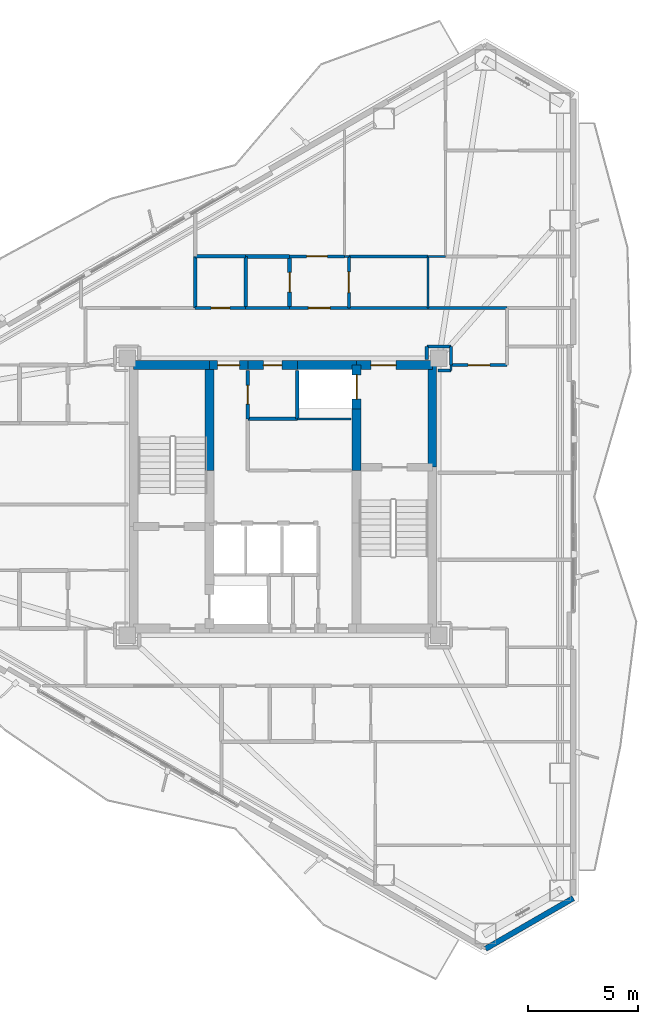
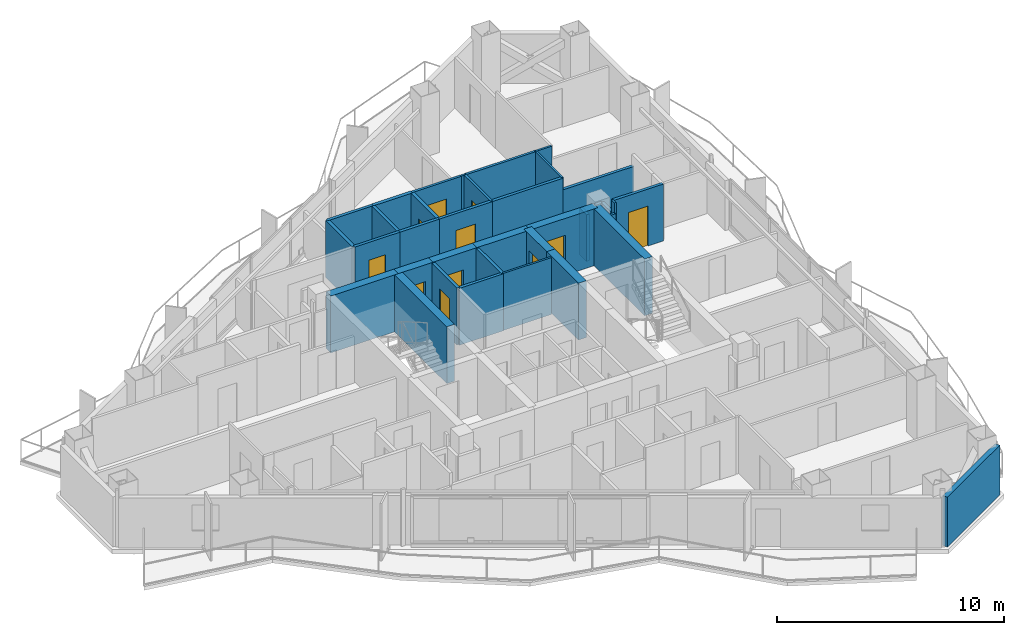
# One storey, part 15 of 19: 36 walls, 11 doors, 11 openings.
"""IFC4 building model written with IfcOpenShell, lengths in metres."""

from ifc_helpers import new_model, si_unit, direction, frame, frame_2d, origin, place, context, subcontext, project, spatial, rectangle, extrude, material, layer, layer_set, type_object, element, fill, save


model = new_model("IFC4")

# Units and contexts
model_context = context("Model", 3, precision=1e-05, world=origin(), true_north=direction((0.0, 1.0)))
body_context = subcontext(model_context, "Body", "Model", "MODEL_VIEW")
ifc_project = project(units=[si_unit("LENGTHUNIT", "METRE"), si_unit("AREAUNIT", "SQUARE_METRE"), si_unit("VOLUMEUNIT", "CUBIC_METRE"), si_unit("PLANEANGLEUNIT", "RADIAN"), si_unit("MASSUNIT", "GRAM", prefix="KILO")], contexts=[model_context])

# Site, building, storey
site_placement = place(None, origin())
site = spatial("IfcSite", under=ifc_project, at=site_placement, CompositionType="ELEMENT")
building_placement = place(site_placement, origin())
building = spatial("IfcBuilding", under=site, at=building_placement, Name="Mersakhor Tower and Convention Hall", CompositionType="ELEMENT")
storey_placement = place(building_placement, frame((0.0, 0.0, 127.800048828125)))
storey = spatial("IfcBuildingStorey", under=building, at=storey_placement, Name="L35", CompositionType="ELEMENT", Elevation=127.800048828125)

# Wall
ifc_material_1 = material(Name="Precast concrete C40/50", Category="concrete")
ifc_layer_1 = layer(ifc_material_1, 0.25)
ifc_layer_set_1 = layer_set([ifc_layer_1], Name="Precast concrete C40/50")
wall_type_1 = type_object("IfcWallType", Name="WL-EXT-250", PredefinedType="SOLIDWALL", material=ifc_layer_set_1)
wall_1_placement = place(storey_placement, frame((42.21923828125, 8.470947265625, 0.0), z_axis=(0.0, 0.0, 1.0), x_axis=(-0.866035021055, -0.499983342029, 0.0)))
element("IfcWall", 1, at=wall_1_placement, inside=storey, type_object=wall_type_1, Name="L35 Chamfer Braced Spandrel Wall C2", PredefinedType="SOLIDWALL", context=body_context, shape_type="SweptSolid", body=[
    extrude(rectangle(XDim=4.617431640625, YDim=0.25, at=frame_2d((2.30859375, 0.0))), origin(), (0.0, 0.0, 1.0), 2.679931640625),
])

# Wall, opening, door
ifc_material_2 = material(Name="Moisture-resistant acoustic drywall studwork", Category="other")
ifc_layer_2 = layer(ifc_material_2, 0.175048828125)
ifc_layer_set_2 = layer_set([ifc_layer_2], Name="Moisture-resistant acoustic drywall studwork")
wall_type_2 = type_object("IfcWallType", Name="WL-PLM-175", PredefinedType="PLUMBINGWALL", material=ifc_layer_set_2)
wall_2_placement = place(storey_placement, frame((29.300048828125, 35.35009765625, 0.0), z_axis=(0.0, 0.0, 1.0), x_axis=(0.0, 1.0, 0.0)))
wall_2 = element("IfcWall", 2, at=wall_2_placement, inside=storey, type_object=wall_type_2, Name="L35 Interior Partition Wall P-052", PredefinedType="PLUMBINGWALL", context=body_context, shape_type="SweptSolid", body=[
    extrude(rectangle(XDim=2.349853515625, YDim=0.175048828125, at=frame_2d((1.1748046875, 0.0))), origin(), (0.0, 0.0, 1.0), 3.06005859375),
])
opening_1_placement = place(wall_2_placement, frame((0.72509765625, 0.0, 0.0)))
opening_1 = element("IfcOpeningElement", 3, at=opening_1_placement, cuts=wall_2, Name="Opening WD-01", PredefinedType="OPENING", context=body_context, shape_type="SweptSolid", body=[
    extrude(rectangle(XDim=0.89990234375, YDim=2.10009765625, at=frame_2d((0.449951171875, 1.050048828125))), frame((0.0, 0.097412109375, 0.0), z_axis=(0.0, -1.0, 0.0), x_axis=(1.0, 0.0, 0.0)), (0.0, 0.0, 1.0), 0.195068359375),
])
ifc_material_3 = material(Name="Solid-core hardwood leaf in painted steel frame", Category="steel")
door_type_1 = type_object("IfcDoorType", Name="DR-INT-WET-090x210", OperationType="NOTDEFINED", PredefinedType="DOOR", material=ifc_material_3)
door_1_placement = place(opening_1_placement, origin())
door_1 = element("IfcDoor", 4, at=door_1_placement, inside=storey, type_object=door_type_1, Name="L35 L35 Flat N1 Apartment Hall to L35 Flat N1 Bathroom Door", OperationType="SINGLE_SWING_LEFT", OverallHeight=2.10009765625, OverallWidth=0.89990234375, PredefinedType="DOOR", context=body_context, shape_type="SweptSolid", body=[
    extrude(rectangle(XDim=0.89990234375, YDim=2.10009765625, at=frame_2d((0.449951171875, 1.050048828125))), frame((0.0, 0.02490234375, 0.0), z_axis=(0.0, -1.0, 0.0), x_axis=(1.0, 0.0, 0.0)), (0.0, 0.0, 1.0), 0.050048828125),
])
fill(opening_1, door_1)

# Walls
wall_3_placement = place(storey_placement, frame((25.0, 35.35009765625, 0.0), z_axis=(0.0, 0.0, 1.0), x_axis=(0.0, 1.0, 0.0)))
element("IfcWall", 5, at=wall_3_placement, inside=storey, type_object=wall_type_2, Name="L35 Interior Partition Wall P-068", PredefinedType="PLUMBINGWALL", context=body_context, shape_type="SweptSolid", body=[
    extrude(rectangle(XDim=2.349853515625, YDim=0.175048828125, at=frame_2d((1.1748046875, 0.0))), origin(), (0.0, 0.0, 1.0), 3.06005859375),
])
wall_4_placement = place(storey_placement, frame((27.300048828125, 37.699951171875, 0.0), z_axis=(0.0, 0.0, 1.0), x_axis=(1.0, 0.0, 0.0)))
element("IfcWall", 6, at=wall_4_placement, inside=storey, type_object=wall_type_2, Name="L35 Interior Partition Wall P-072", PredefinedType="PLUMBINGWALL", context=body_context, shape_type="SweptSolid", body=[
    extrude(rectangle(XDim=2.0, YDim=0.175048828125, at=frame_2d((1.0, 0.0))), origin(), (0.0, 0.0, 1.0), 3.06005859375),
])
ifc_material_4 = material(Name="Lightweight gypsum partition", Category="other")
ifc_layer_3 = layer(ifc_material_4, 0.10009765625)
ifc_layer_set_3 = layer_set([ifc_layer_3], Name="Lightweight gypsum partition")
wall_type_3 = type_object("IfcWallType", Name="WL-PRT-100", PredefinedType="PARTITIONING", material=ifc_layer_set_3)
wall_5_placement = place(storey_placement, frame((32.10009765625, 30.300048828125, 0.0), z_axis=(0.0, 0.0, 1.0), x_axis=(-1.0, 0.0, 0.0)))
element("IfcWall", 7, at=wall_5_placement, inside=storey, type_object=wall_type_3, Name="L35 Interior Partition Wall P-004", PredefinedType="PARTITIONING", context=body_context, shape_type="SweptSolid", body=[
    extrude(rectangle(XDim=2.4501953125, YDim=0.10009765625, at=frame_2d((1.22509765625, 0.0))), origin(), (0.0, 0.0, 1.0), 3.06005859375),
])
wall_6_placement = place(storey_placement, frame((31.800048828125, 37.699951171875, 0.0), z_axis=(0.0, 0.0, 1.0), x_axis=(1.0, 0.0, 0.0)))
element("IfcWall", 8, at=wall_6_placement, inside=storey, type_object=wall_type_3, Name="L35 Interior Partition Wall P-050", PredefinedType="PARTITIONING", context=body_context, shape_type="SweptSolid", body=[
    extrude(rectangle(XDim=0.199951171875, YDim=0.10009765625, at=frame_2d((0.10009765625, 0.0))), origin(), (0.0, 0.0, 1.0), 3.06005859375),
])
wall_7_placement = place(storey_placement, frame((35.60009765625, 37.699951171875, 0.0), z_axis=(0.0, 0.0, 1.0), x_axis=(0.0, -1.0, 0.0)))
element("IfcWall", 9, at=wall_7_placement, inside=storey, type_object=wall_type_3, Name="L35 Interior Partition Wall P-074", PredefinedType="PARTITIONING", context=body_context, shape_type="SweptSolid", body=[
    extrude(rectangle(XDim=2.349853515625, YDim=0.10009765625, at=frame_2d((1.1748046875, 0.0))), origin(), (0.0, 0.0, 1.0), 3.06005859375),
])
wall_8_placement = place(storey_placement, frame((36.64990234375, 32.5, 0.0), z_axis=(0.0, 0.0, 1.0), x_axis=(0.0, 1.0, 0.0)))
element("IfcWall", 10, at=wall_8_placement, inside=storey, type_object=wall_type_3, Name="L35 Interior Partition Wall P-100", PredefinedType="PARTITIONING", context=body_context, shape_type="SweptSolid", body=[
    extrude(rectangle(XDim=0.25, YDim=0.10009765625, at=frame_2d((0.125, 0.0))), origin(), (0.0, 0.0, 1.0), 3.06005859375),
])
wall_9_placement = place(storey_placement, frame((35.60009765625, 37.699951171875, 0.0), z_axis=(0.0, 0.0, 1.0), x_axis=(1.0, 0.0, 0.0)))
element("IfcWall", 11, at=wall_9_placement, inside=storey, type_object=wall_type_3, Name="L35 Interior Partition Wall P-110", PredefinedType="PARTITIONING", context=body_context, shape_type="SweptSolid", body=[
    extrude(rectangle(XDim=0.7998046875, YDim=0.10009765625, at=frame_2d((0.39990234375, 0.0))), origin(), (0.0, 0.0, 1.0), 3.06005859375),
])

# Wall, opening, door
ifc_material_5 = material(Name="Gypsum board acoustic partition", Category="other")
ifc_layer_4 = layer(ifc_material_5, 0.125)
ifc_layer_set_4 = layer_set([ifc_layer_4], Name="Gypsum board acoustic partition")
wall_type_4 = type_object("IfcWallType", Name="WL-PRT-125", PredefinedType="PARTITIONING", material=ifc_layer_set_4)
wall_10_placement = place(storey_placement, frame((29.300048828125, 37.699951171875, 0.0), z_axis=(0.0, 0.0, 1.0), x_axis=(1.0, 0.0, 0.0)))
wall_10 = element("IfcWall", 12, at=wall_10_placement, inside=storey, type_object=wall_type_4, Name="L35 Interior Partition Wall P-049", PredefinedType="PARTITIONING", context=body_context, shape_type="SweptSolid", body=[
    extrude(rectangle(XDim=2.5, YDim=0.125, at=frame_2d((1.25, 0.0))), origin(), (0.0, 0.0, 1.0), 3.06005859375),
])
opening_2_placement = place(wall_10_placement, frame((0.77490234375, 0.0, 0.0)))
opening_2 = element("IfcOpeningElement", 13, at=opening_2_placement, cuts=wall_10, Name="Opening RD-01", PredefinedType="OPENING", context=body_context, shape_type="SweptSolid", body=[
    extrude(rectangle(XDim=0.949951171875, YDim=2.10009765625, at=frame_2d((0.47509765625, 1.050048828125))), frame((0.0, 0.072509765625, 0.0), z_axis=(0.0, -1.0, 0.0), x_axis=(1.0, 0.0, 0.0)), (0.0, 0.0, 1.0), 0.14501953125),
])
ifc_material_6 = material(Name="Solid-core hardwood leaf in painted steel frame", Category="steel")
door_type_2 = type_object("IfcDoorType", Name="DR-INT-RM-095x210", OperationType="NOTDEFINED", PredefinedType="DOOR", material=ifc_material_6)
door_2_placement = place(opening_2_placement, origin())
door_2 = element("IfcDoor", 14, at=door_2_placement, inside=storey, type_object=door_type_2, Name="L35 L35 Flat N1 Apartment Hall to L35 Flat N1 Living and Dining Room Door", OperationType="SINGLE_SWING_LEFT", OverallHeight=2.10009765625, OverallWidth=0.949951171875, PredefinedType="DOOR", context=body_context, shape_type="SweptSolid", body=[
    extrude(rectangle(XDim=0.949951171875, YDim=2.10009765625, at=frame_2d((0.47509765625, 1.050048828125))), frame((0.0, 0.02490234375, 0.0), z_axis=(0.0, -1.0, 0.0), x_axis=(1.0, 0.0, 0.0)), (0.0, 0.0, 1.0), 0.050048828125),
])
fill(opening_2, door_2)

wall_11_placement = place(storey_placement, frame((32.0, 37.699951171875, 0.0), z_axis=(0.0, 0.0, 1.0), x_axis=(0.0, -1.0, 0.0)))
wall_11 = element("IfcWall", 15, at=wall_11_placement, inside=storey, type_object=wall_type_4, Name="L35 Interior Partition Wall P-051", PredefinedType="PARTITIONING", context=body_context, shape_type="SweptSolid", body=[
    extrude(rectangle(XDim=2.349853515625, YDim=0.125, at=frame_2d((1.1748046875, 0.0))), origin(), (0.0, 0.0, 1.0), 3.06005859375),
])
opening_3_placement = place(wall_11_placement, frame((0.699951171875, 0.0, 0.0)))
opening_3 = element("IfcOpeningElement", 16, at=opening_3_placement, cuts=wall_11, Name="Opening RD-01", PredefinedType="OPENING", context=body_context, shape_type="SweptSolid", body=[
    extrude(rectangle(XDim=0.949951171875, YDim=2.10009765625, at=frame_2d((0.47509765625, 1.050048828125))), frame((0.0, 0.072509765625, 0.0), z_axis=(0.0, -1.0, 0.0), x_axis=(1.0, 0.0, 0.0)), (0.0, 0.0, 1.0), 0.14501953125),
])
door_3_placement = place(opening_3_placement, origin())
door_3 = element("IfcDoor", 17, at=door_3_placement, inside=storey, type_object=door_type_2, Name="L35 L35 Flat N1 Apartment Hall to L35 Flat N1 Kitchen Door", OperationType="SINGLE_SWING_RIGHT", OverallHeight=2.10009765625, OverallWidth=0.949951171875, PredefinedType="DOOR", context=body_context, shape_type="SweptSolid", body=[
    extrude(rectangle(XDim=0.949951171875, YDim=2.10009765625, at=frame_2d((0.47509765625, 1.050048828125))), frame((0.0, 0.02490234375, 0.0), z_axis=(0.0, -1.0, 0.0), x_axis=(1.0, 0.0, 0.0)), (0.0, 0.0, 1.0), 0.050048828125),
])
fill(opening_3, door_3)

# Walls
wall_12_placement = place(storey_placement, frame((32.0, 37.699951171875, 0.0), z_axis=(0.0, 0.0, 1.0), x_axis=(1.0, 0.0, 0.0)))
element("IfcWall", 18, at=wall_12_placement, inside=storey, type_object=wall_type_4, Name="L35 Interior Partition Wall P-073", PredefinedType="PARTITIONING", context=body_context, shape_type="SweptSolid", body=[
    extrude(rectangle(XDim=3.60009765625, YDim=0.125, at=frame_2d((1.800048828125, 0.0))), origin(), (0.0, 0.0, 1.0), 3.06005859375),
])
wall_13_placement = place(storey_placement, frame((36.050048828125, 32.5, 0.0), z_axis=(0.0, 0.0, 1.0), x_axis=(1.0, 0.0, 0.0)))
element("IfcWall", 19, at=wall_13_placement, inside=storey, type_object=wall_type_4, Name="L35 Interior Partition Wall P-099", PredefinedType="PARTITIONING", context=body_context, shape_type="SweptSolid", body=[
    extrude(rectangle(XDim=0.599853515625, YDim=0.125, at=frame_2d((0.2998046875, 0.0))), origin(), (0.0, 0.0, 1.0), 2.50830078125),
])
ifc_material_7 = material(Name="Fire-rated gypsum board stud partition", Category="other")
ifc_layer_5 = layer(ifc_material_7, 0.14990234375)
ifc_layer_set_5 = layer_set([ifc_layer_5], Name="Fire-rated gypsum board stud partition")
wall_type_5 = type_object("IfcWallType", Name="WL-PRT-150", PredefinedType="PARTITIONING", material=ifc_layer_set_5)
wall_14_placement = place(storey_placement, frame((29.64990234375, 30.300048828125, 0.0), z_axis=(0.0, 0.0, 1.0), x_axis=(0.0, 1.0, 0.0)))
element("IfcWall", 20, at=wall_14_placement, inside=storey, type_object=wall_type_5, Name="L35 Interior Partition Wall P-005", PredefinedType="PARTITIONING", context=body_context, shape_type="SweptSolid", body=[
    extrude(rectangle(XDim=2.199951171875, YDim=0.14990234375, at=frame_2d((1.10009765625, 0.0))), origin(), (0.0, 0.0, 1.0), 3.06005859375),
])

# Wall, opening, door
wall_15_placement = place(storey_placement, frame((27.39990234375, 32.5, 0.0), z_axis=(0.0, 0.0, 1.0), x_axis=(0.0, -1.0, 0.0)))
wall_15 = element("IfcWall", 21, at=wall_15_placement, inside=storey, type_object=wall_type_5, Name="L35 Interior Partition Wall P-013", PredefinedType="PARTITIONING", context=body_context, shape_type="SweptSolid", body=[
    extrude(rectangle(XDim=2.199951171875, YDim=0.14990234375, at=frame_2d((1.10009765625, 0.0))), origin(), (0.0, 0.0, 1.0), 3.06005859375),
])
opening_4_placement = place(wall_15_placement, frame((0.675048828125, 0.0, 0.0)))
opening_4 = element("IfcOpeningElement", 22, at=opening_4_placement, cuts=wall_15, Name="Opening SVD-01", PredefinedType="OPENING", context=body_context, shape_type="SweptSolid", body=[
    extrude(rectangle(XDim=0.85009765625, YDim=2.10009765625, at=frame_2d((0.425048828125, 1.050048828125))), frame((0.0, 0.0849609375, 0.0), z_axis=(0.0, -1.0, 0.0), x_axis=(1.0, 0.0, 0.0)), (0.0, 0.0, 1.0), 0.169921875),
])
ifc_material_8 = material(Name="Fire-rated hardwood leaf and painted steel frame", Category="steel")
door_type_3 = type_object("IfcDoorType", Name="DR-INT-SVC-085x210", OperationType="NOTDEFINED", PredefinedType="DOOR", material=ifc_material_8)
door_4_placement = place(opening_4_placement, origin())
door_4 = element("IfcDoor", 23, at=door_4_placement, inside=storey, type_object=door_type_3, Name="L35 Central Passenger Lift Lobby to High-Zone Telecoms Room Door", OperationType="SINGLE_SWING_RIGHT", OverallHeight=2.10009765625, OverallWidth=0.85009765625, PredefinedType="DOOR", context=body_context, shape_type="SweptSolid", body=[
    extrude(rectangle(XDim=0.85009765625, YDim=2.10009765625, at=frame_2d((0.425048828125, 1.050048828125))), frame((0.0, 0.02490234375, 0.0), z_axis=(0.0, -1.0, 0.0), x_axis=(1.0, 0.0, 0.0)), (0.0, 0.0, 1.0), 0.050048828125),
])
fill(opening_4, door_4)

# Wall
wall_16_placement = place(storey_placement, frame((35.550048828125, 33.60009765625, 0.0), z_axis=(0.0, 0.0, 1.0), x_axis=(0.0, -1.0, 0.0)))
element("IfcWall", 24, at=wall_16_placement, inside=storey, type_object=wall_type_5, Name="L35 Interior Partition Wall P-016", PredefinedType="PARTITIONING", context=body_context, shape_type="SweptSolid", body=[
    extrude(rectangle(XDim=0.60009765625, YDim=0.14990234375, at=frame_2d((0.300048828125, 0.0))), origin(), (0.0, 0.0, 1.0), 2.50830078125),
])

# Wall, opening, door
wall_17_placement = place(storey_placement, frame((25.0, 35.35009765625, 0.0), z_axis=(0.0, 0.0, 1.0), x_axis=(1.0, 0.0, 0.0)))
wall_17 = element("IfcWall", 25, at=wall_17_placement, inside=storey, type_object=wall_type_5, Name="L35 Interior Partition Wall P-023", PredefinedType="PARTITIONING", context=body_context, shape_type="SweptSolid", body=[
    extrude(rectangle(XDim=2.300048828125, YDim=0.14990234375, at=frame_2d((1.14990234375, 0.0))), origin(), (0.0, 0.0, 1.0), 3.06005859375),
])
opening_5_placement = place(wall_17_placement, frame((0.72509765625, 0.0, 0.0)))
opening_5 = element("IfcOpeningElement", 26, at=opening_5_placement, cuts=wall_17, Name="Opening SVD-01", PredefinedType="OPENING", context=body_context, shape_type="SweptSolid", body=[
    extrude(rectangle(XDim=0.85009765625, YDim=2.10009765625, at=frame_2d((0.425048828125, 1.050048828125))), frame((0.0, 0.0849609375, 0.0), z_axis=(0.0, -1.0, 0.0), x_axis=(1.0, 0.0, 0.0)), (0.0, 0.0, 1.0), 0.169921875),
])
door_5_placement = place(opening_5_placement, origin())
door_5 = element("IfcDoor", 27, at=door_5_placement, inside=storey, type_object=door_type_3, Name="L35 Residential North Gallery Corridor to L35 North Floor Accessible Toilet WC Door", OperationType="SINGLE_SWING_RIGHT", OverallHeight=2.10009765625, OverallWidth=0.85009765625, PredefinedType="DOOR", context=body_context, shape_type="SweptSolid", body=[
    extrude(rectangle(XDim=0.85009765625, YDim=2.10009765625, at=frame_2d((0.425048828125, 1.050048828125))), frame((0.0, 0.02490234375, 0.0), z_axis=(0.0, -1.0, 0.0), x_axis=(1.0, 0.0, 0.0)), (0.0, 0.0, 1.0), 0.050048828125),
])
fill(opening_5, door_5)

# Wall
wall_18_placement = place(storey_placement, frame((27.300048828125, 35.35009765625, 0.0), z_axis=(0.0, 0.0, 1.0), x_axis=(1.0, 0.0, 0.0)))
element("IfcWall", 28, at=wall_18_placement, inside=storey, type_object=wall_type_5, Name="L35 Interior Partition Wall P-024", PredefinedType="PARTITIONING", context=body_context, shape_type="SweptSolid", body=[
    extrude(rectangle(XDim=2.0, YDim=0.14990234375, at=frame_2d((1.0, 0.0))), origin(), (0.0, 0.0, 1.0), 3.06005859375),
])

# Wall, opening, door
wall_19_placement = place(storey_placement, frame((29.300048828125, 35.35009765625, 0.0), z_axis=(0.0, 0.0, 1.0), x_axis=(1.0, 0.0, 0.0)))
wall_19 = element("IfcWall", 29, at=wall_19_placement, inside=storey, type_object=wall_type_5, Name="L35 Interior Partition Wall P-025", PredefinedType="PARTITIONING", context=body_context, shape_type="SweptSolid", body=[
    extrude(rectangle(XDim=2.699951171875, YDim=0.14990234375, at=frame_2d((1.35009765625, 0.0))), origin(), (0.0, 0.0, 1.0), 3.06005859375),
])
opening_6_placement = place(wall_19_placement, frame((0.85009765625, 0.0, 0.0)))
opening_6 = element("IfcOpeningElement", 30, at=opening_6_placement, cuts=wall_19, Name="Opening FD-01", PredefinedType="OPENING", context=body_context, shape_type="SweptSolid", body=[
    extrude(rectangle(XDim=1.0, YDim=2.14990234375, at=frame_2d((0.5, 1.074951171875))), frame((0.0, 0.0849609375, 0.0), z_axis=(0.0, -1.0, 0.0), x_axis=(1.0, 0.0, 0.0)), (0.0, 0.0, 1.0), 0.169921875),
])
ifc_material_9 = material(Name="Fire-rated hardwood leaf and painted steel frame", Category="steel")
door_type_4 = type_object("IfcDoorType", Name="DR-INT-FLT-100x215", OperationType="NOTDEFINED", PredefinedType="DOOR", material=ifc_material_9)
door_6_placement = place(opening_6_placement, origin())
door_6 = element("IfcDoor", 31, at=door_6_placement, inside=storey, type_object=door_type_4, Name="L35 Apartment Entrance Door (Residential North Gallery Corridor to L35 Flat N1 Apartment Hall)", OperationType="SINGLE_SWING_RIGHT", OverallHeight=2.14990234375, OverallWidth=1.0, PredefinedType="DOOR", context=body_context, shape_type="SweptSolid", body=[
    extrude(rectangle(XDim=1.0, YDim=2.14990234375, at=frame_2d((0.5, 1.074951171875))), frame((0.0, 0.02490234375, 0.0), z_axis=(0.0, -1.0, 0.0), x_axis=(1.0, 0.0, 0.0)), (0.0, 0.0, 1.0), 0.050048828125),
])
fill(opening_6, door_6)

# Walls
wall_20_placement = place(storey_placement, frame((32.0, 35.35009765625, 0.0), z_axis=(0.0, 0.0, 1.0), x_axis=(1.0, 0.0, 0.0)))
element("IfcWall", 32, at=wall_20_placement, inside=storey, type_object=wall_type_5, Name="L35 Interior Partition Wall P-026", PredefinedType="PARTITIONING", context=body_context, shape_type="SweptSolid", body=[
    extrude(rectangle(XDim=3.60009765625, YDim=0.14990234375, at=frame_2d((1.800048828125, 0.0))), origin(), (0.0, 0.0, 1.0), 3.06005859375),
])
wall_21_placement = place(storey_placement, frame((35.60009765625, 35.35009765625, 0.0), z_axis=(0.0, 0.0, 1.0), x_axis=(1.0, 0.0, 0.0)))
element("IfcWall", 33, at=wall_21_placement, inside=storey, type_object=wall_type_5, Name="L35 Interior Partition Wall P-027", PredefinedType="PARTITIONING", context=body_context, shape_type="SweptSolid", body=[
    extrude(rectangle(XDim=3.599853515625, YDim=0.14990234375, at=frame_2d((1.7998046875, 0.0))), origin(), (0.0, 0.0, 1.0), 2.432861328125),
])

# Wall, opening, door
wall_22_placement = place(storey_placement, frame((39.199951171875, 32.75, 0.0), z_axis=(0.0, 0.0, 1.0), x_axis=(-1.0, 0.0, 0.0)))
wall_22 = element("IfcWall", 34, at=wall_22_placement, inside=storey, type_object=wall_type_5, Name="L35 Interior Partition Wall P-030", PredefinedType="PARTITIONING", context=body_context, shape_type="SweptSolid", body=[
    extrude(rectangle(XDim=2.550048828125, YDim=0.14990234375, at=frame_2d((1.27490234375, 0.0))), origin(), (0.0, 0.0, 1.0), 3.06005859375),
])
opening_7_placement = place(wall_22_placement, frame((0.77490234375, 0.0, 0.0)))
opening_7 = element("IfcOpeningElement", 35, at=opening_7_placement, cuts=wall_22, Name="Opening FD-01", PredefinedType="OPENING", context=body_context, shape_type="SweptSolid", body=[
    extrude(rectangle(XDim=1.0, YDim=2.14990234375, at=frame_2d((0.5, 1.074951171875))), frame((0.0, 0.0849609375, 0.0), z_axis=(0.0, -1.0, 0.0), x_axis=(1.0, 0.0, 0.0)), (0.0, 0.0, 1.0), 0.169921875),
])
door_7_placement = place(opening_7_placement, origin())
door_7 = element("IfcDoor", 36, at=door_7_placement, inside=storey, type_object=door_type_4, Name="L35 Residential North Gallery Corridor to L35 East Wing Quiet Focus Room Door", OperationType="SINGLE_SWING_LEFT", OverallHeight=2.14990234375, OverallWidth=1.0, PredefinedType="DOOR", context=body_context, shape_type="SweptSolid", body=[
    extrude(rectangle(XDim=1.0, YDim=2.14990234375, at=frame_2d((0.5, 1.074951171875))), frame((0.0, 0.02490234375, 0.0), z_axis=(0.0, -1.0, 0.0), x_axis=(1.0, 0.0, 0.0)), (0.0, 0.0, 1.0), 0.050048828125),
])
fill(opening_7, door_7)

# Walls
wall_23_placement = place(storey_placement, frame((36.64990234375, 32.75, 0.0), z_axis=(0.0, 0.0, 1.0), x_axis=(0.0, 1.0, 0.0)))
element("IfcWall", 37, at=wall_23_placement, inside=storey, type_object=wall_type_5, Name="L35 Interior Partition Wall P-031", PredefinedType="PARTITIONING", context=body_context, shape_type="SweptSolid", body=[
    extrude(rectangle(XDim=0.85009765625, YDim=0.14990234375, at=frame_2d((0.425048828125, 0.0))), origin(), (0.0, 0.0, 1.0), 2.432861328125),
])
wall_24_placement = place(storey_placement, frame((36.64990234375, 33.60009765625, 0.0), z_axis=(0.0, 0.0, 1.0), x_axis=(-1.0, 0.0, 0.0)))
element("IfcWall", 38, at=wall_24_placement, inside=storey, type_object=wall_type_5, Name="L35 Interior Partition Wall P-032", PredefinedType="PARTITIONING", context=body_context, shape_type="SweptSolid", body=[
    extrude(rectangle(XDim=1.099853515625, YDim=0.14990234375, at=frame_2d((0.5498046875, 0.0))), origin(), (0.0, 0.0, 1.0), 2.432861328125),
])
wall_25_placement = place(storey_placement, frame((25.0, 37.699951171875, 0.0), z_axis=(0.0, 0.0, 1.0), x_axis=(1.0, 0.0, 0.0)))
element("IfcWall", 39, at=wall_25_placement, inside=storey, type_object=wall_type_5, Name="L35 Interior Partition Wall P-066", PredefinedType="PARTITIONING", context=body_context, shape_type="SweptSolid", body=[
    extrude(rectangle(XDim=2.300048828125, YDim=0.14990234375, at=frame_2d((1.14990234375, 0.0))), origin(), (0.0, 0.0, 1.0), 3.06005859375),
])
wall_26_placement = place(storey_placement, frame((27.300048828125, 37.699951171875, 0.0), z_axis=(0.0, 0.0, 1.0), x_axis=(0.0, -1.0, 0.0)))
element("IfcWall", 40, at=wall_26_placement, inside=storey, type_object=wall_type_5, Name="L35 Interior Partition Wall P-067", PredefinedType="PARTITIONING", context=body_context, shape_type="SweptSolid", body=[
    extrude(rectangle(XDim=2.349853515625, YDim=0.14990234375, at=frame_2d((1.1748046875, 0.0))), origin(), (0.0, 0.0, 1.0), 3.06005859375),
])
wall_27_placement = place(storey_placement, frame((27.39990234375, 30.300048828125, 0.0), z_axis=(0.0, 0.0, 1.0), x_axis=(1.0, 0.0, 0.0)))
element("IfcWall", 41, at=wall_27_placement, inside=storey, type_object=wall_type_5, Name="L35 Interior Partition Wall P-091", PredefinedType="PARTITIONING", context=body_context, shape_type="SweptSolid", body=[
    extrude(rectangle(XDim=2.25, YDim=0.14990234375, at=frame_2d((1.125, 0.0))), origin(), (0.0, 0.0, 1.0), 3.06005859375),
])
ifc_material_10 = material(Name="Concrete C60/75", Category="concrete")
ifc_layer_6 = layer(ifc_material_10, 0.39990234375)
ifc_layer_set_6 = layer_set([ifc_layer_6], Name="Concrete C60/75")
wall_type_6 = type_object("IfcWallType", Name="WL-SHR-400", PredefinedType="SHEAR", material=ifc_layer_set_6)
wall_28_placement = place(storey_placement, frame((22.199951171875, 32.75, 0.0), z_axis=(0.0, 0.0, 1.0), x_axis=(1.0, 0.0, 0.0)))
element("IfcWall", 42, at=wall_28_placement, inside=storey, type_object=wall_type_6, Name="L35 Core Wall CW-N1", PredefinedType="SHEAR", context=body_context, shape_type="SweptSolid", body=[
    extrude(rectangle(XDim=3.449951171875, YDim=0.39990234375, at=frame_2d((1.72509765625, 0.0))), origin(), (0.0, 0.0, 1.0), 3.06005859375),
])

# Wall, opening, door
wall_29_placement = place(storey_placement, frame((25.64990234375, 32.75, 0.0), z_axis=(0.0, 0.0, 1.0), x_axis=(1.0, 0.0, 0.0)))
wall_29 = element("IfcWall", 43, at=wall_29_placement, inside=storey, type_object=wall_type_6, Name="L35 Core Wall CW-N2A", PredefinedType="SHEAR", context=body_context, shape_type="SweptSolid", body=[
    extrude(rectangle(XDim=1.75, YDim=0.39990234375, at=frame_2d((0.875, 0.0))), origin(), (0.0, 0.0, 1.0), 3.06005859375),
])
opening_8_placement = place(wall_29_placement, frame((0.375, 0.0, 0.0)))
opening_8 = element("IfcOpeningElement", 44, at=opening_8_placement, cuts=wall_29, Name="Opening CFD-01", PredefinedType="OPENING", context=body_context, shape_type="SweptSolid", body=[
    extrude(rectangle(XDim=1.0, YDim=2.14990234375, at=frame_2d((0.5, 1.074951171875))), frame((0.0, 0.2099609375, 0.0), z_axis=(0.0, -1.0, 0.0), x_axis=(1.0, 0.0, 0.0)), (0.0, 0.0, 1.0), 0.419921875),
])
ifc_material_11 = material(Name="Fire-rated hardwood leaf and painted steel frame", Category="steel")
door_type_5 = type_object("IfcDoorType", Name="DR-CORE-FD-100x215", OperationType="NOTDEFINED", PredefinedType="DOOR", material=ifc_material_11)
door_8_placement = place(opening_8_placement, origin())
door_8 = element("IfcDoor", 45, at=door_8_placement, inside=storey, type_object=door_type_5, Name="L35 Lift Lobby North Corridor Door", OperationType="SINGLE_SWING_LEFT", OverallHeight=2.14990234375, OverallWidth=1.0, PredefinedType="DOOR", context=body_context, shape_type="SweptSolid", body=[
    extrude(rectangle(XDim=1.0, YDim=2.14990234375, at=frame_2d((0.5, 1.074951171875))), frame((0.0, 0.02490234375, 0.0), z_axis=(0.0, -1.0, 0.0), x_axis=(1.0, 0.0, 0.0)), (0.0, 0.0, 1.0), 0.050048828125),
])
fill(opening_8, door_8)

wall_30_placement = place(storey_placement, frame((27.39990234375, 32.75, 0.0), z_axis=(0.0, 0.0, 1.0), x_axis=(1.0, 0.0, 0.0)))
wall_30 = element("IfcWall", 46, at=wall_30_placement, inside=storey, type_object=wall_type_6, Name="L35 Core Wall CW-N2B", PredefinedType="SHEAR", context=body_context, shape_type="SweptSolid", body=[
    extrude(rectangle(XDim=2.25, YDim=0.39990234375, at=frame_2d((1.125, 0.0))), origin(), (0.0, 0.0, 1.0), 3.06005859375),
])
opening_9_placement = place(wall_30_placement, frame((0.699951171875, 0.0, 0.0)))
opening_9 = element("IfcOpeningElement", 47, at=opening_9_placement, cuts=wall_30, Name="Opening SVD-01", PredefinedType="OPENING", context=body_context, shape_type="SweptSolid", body=[
    extrude(rectangle(XDim=0.85009765625, YDim=2.10009765625, at=frame_2d((0.425048828125, 1.050048828125))), frame((0.0, 0.2099609375, 0.0), z_axis=(0.0, -1.0, 0.0), x_axis=(1.0, 0.0, 0.0)), (0.0, 0.0, 1.0), 0.419921875),
])
door_9_placement = place(opening_9_placement, origin())
door_9 = element("IfcDoor", 48, at=door_9_placement, inside=storey, type_object=door_type_3, Name="L35 Residential North Gallery Corridor to High-Zone Telecoms Room Door", OperationType="SINGLE_SWING_LEFT", OverallHeight=2.10009765625, OverallWidth=0.85009765625, PredefinedType="DOOR", context=body_context, shape_type="SweptSolid", body=[
    extrude(rectangle(XDim=0.85009765625, YDim=2.10009765625, at=frame_2d((0.425048828125, 1.050048828125))), frame((0.0, 0.02490234375, 0.0), z_axis=(0.0, -1.0, 0.0), x_axis=(1.0, 0.0, 0.0)), (0.0, 0.0, 1.0), 0.050048828125),
])
fill(opening_9, door_9)

# Wall
wall_31_placement = place(storey_placement, frame((29.64990234375, 32.75, 0.0), z_axis=(0.0, 0.0, 1.0), x_axis=(1.0, 0.0, 0.0)))
element("IfcWall", 49, at=wall_31_placement, inside=storey, type_object=wall_type_6, Name="L35 Core Wall CW-N3", PredefinedType="SHEAR", context=body_context, shape_type="SweptSolid", body=[
    extrude(rectangle(XDim=2.7001953125, YDim=0.39990234375, at=frame_2d((1.35009765625, 0.0))), origin(), (0.0, 0.0, 1.0), 3.06005859375),
])

# Wall, opening, door
wall_32_placement = place(storey_placement, frame((32.35009765625, 32.75, 0.0), z_axis=(0.0, 0.0, 1.0), x_axis=(1.0, 0.0, 0.0)))
wall_32 = element("IfcWall", 50, at=wall_32_placement, inside=storey, type_object=wall_type_6, Name="L35 Core Wall CW-N4", PredefinedType="SHEAR", context=body_context, shape_type="SweptSolid", body=[
    extrude(rectangle(XDim=3.449951171875, YDim=0.39990234375, at=frame_2d((1.72509765625, 0.0))), origin(), (0.0, 0.0, 1.0), 3.06005859375),
])
opening_10_placement = place(wall_32_placement, frame((0.64990234375, 0.0, 0.0)))
opening_10 = element("IfcOpeningElement", 51, at=opening_10_placement, cuts=wall_32, Name="Opening SD-01", PredefinedType="OPENING", context=body_context, shape_type="SweptSolid", body=[
    extrude(rectangle(XDim=1.14990234375, YDim=2.14990234375, at=frame_2d((0.574951171875, 1.074951171875))), frame((0.0, 0.2099609375, 0.0), z_axis=(0.0, -1.0, 0.0), x_axis=(1.0, 0.0, 0.0)), (0.0, 0.0, 1.0), 0.419921875),
])
ifc_material_12 = material(Name="Fire-rated hardwood leaf and painted steel frame", Category="steel")
door_type_6 = type_object("IfcDoorType", Name="DR-INT-STAIR-115x215", OperationType="NOTDEFINED", PredefinedType="DOOR", material=ifc_material_12)
door_10_placement = place(opening_10_placement, origin())
door_10 = element("IfcDoor", 52, at=door_10_placement, inside=storey, type_object=door_type_6, Name="L35 Firefighting Lobby East Fire Door", OperationType="SINGLE_SWING_RIGHT", OverallHeight=2.14990234375, OverallWidth=1.14990234375, PredefinedType="DOOR", context=body_context, shape_type="SweptSolid", body=[
    extrude(rectangle(XDim=1.14990234375, YDim=2.14990234375, at=frame_2d((0.574951171875, 1.074951171875))), frame((0.0, 0.02490234375, 0.0), z_axis=(0.0, -1.0, 0.0), x_axis=(1.0, 0.0, 0.0)), (0.0, 0.0, 1.0), 0.050048828125),
])
fill(opening_10, door_10)

# Walls
wall_33_placement = place(storey_placement, frame((35.800048828125, 32.75, 0.0), z_axis=(0.0, 0.0, 1.0), x_axis=(0.0, -1.0, 0.0)))
element("IfcWall", 53, at=wall_33_placement, inside=storey, type_object=wall_type_6, Name="L35 Core Wall CW-E1", PredefinedType="SHEAR", context=body_context, shape_type="SweptSolid", body=[
    extrude(rectangle(XDim=4.64990234375, YDim=0.39990234375, at=frame_2d((2.324951171875, 0.0))), origin(), (0.0, 0.0, 1.0), 3.06005859375),
])
wall_34_placement = place(storey_placement, frame((25.64990234375, 27.949951171875, 0.0), z_axis=(0.0, 0.0, 1.0), x_axis=(0.0, 1.0, 0.0)))
element("IfcWall", 54, at=wall_34_placement, inside=storey, type_object=wall_type_6, Name="L35 Core Wall CS-W-ST1", PredefinedType="SHEAR", context=body_context, shape_type="SweptSolid", body=[
    extrude(rectangle(XDim=4.800048828125, YDim=0.39990234375, at=frame_2d((2.39990234375, 0.0))), origin(), (0.0, 0.0, 1.0), 3.06005859375),
])
wall_35_placement = place(storey_placement, frame((32.35009765625, 27.949951171875, 0.0), z_axis=(0.0, 0.0, 1.0), x_axis=(0.0, 1.0, 0.0)))
element("IfcWall", 55, at=wall_35_placement, inside=storey, type_object=wall_type_6, Name="L35 Core Wall CS-E-MID", PredefinedType="SHEAR", context=body_context, shape_type="SweptSolid", body=[
    extrude(rectangle(XDim=2.800048828125, YDim=0.39990234375, at=frame_2d((1.39990234375, 0.0))), origin(), (0.0, 0.0, 1.0), 3.06005859375),
])

# Wall, opening, door
wall_36_placement = place(storey_placement, frame((32.35009765625, 30.75, 0.0), z_axis=(0.0, 0.0, 1.0), x_axis=(0.0, 1.0, 0.0)))
wall_36 = element("IfcWall", 56, at=wall_36_placement, inside=storey, type_object=wall_type_6, Name="L35 Core Wall CS-E-FFL", PredefinedType="SHEAR", context=body_context, shape_type="SweptSolid", body=[
    extrude(rectangle(XDim=2.0, YDim=0.39990234375, at=frame_2d((1.0, 0.0))), origin(), (0.0, 0.0, 1.0), 3.06005859375),
])
opening_11_placement = place(wall_36_placement, frame((0.449951171875, 0.0, 0.0)))
opening_11 = element("IfcOpeningElement", 57, at=opening_11_placement, cuts=wall_36, Name="Opening LD-FFL2", PredefinedType="OPENING", context=body_context, shape_type="SweptSolid", body=[
    extrude(rectangle(XDim=1.10009765625, YDim=2.14990234375, at=frame_2d((0.550048828125, 1.074951171875))), frame((0.0, 0.2099609375, 0.0), z_axis=(0.0, -1.0, 0.0), x_axis=(1.0, 0.0, 0.0)), (0.0, 0.0, 1.0), 0.419921875),
])
ifc_material_13 = material(Name="Fire-rated brushed stainless steel sliding landing door", Category="steel")
door_type_7 = type_object("IfcDoorType", Name="DR-LIFT-SLD-110x215", OperationType="NOTDEFINED", PredefinedType="DOOR", material=ifc_material_13)
door_11_placement = place(opening_11_placement, origin())
door_11 = element("IfcDoor", 58, at=door_11_placement, inside=storey, type_object=door_type_7, Name="L35 Firefighting Lift Landing Door LD-FFL2", OperationType="SLIDING_TO_LEFT", OverallHeight=2.14990234375, OverallWidth=1.10009765625, PredefinedType="DOOR", context=body_context, shape_type="SweptSolid", body=[
    extrude(rectangle(XDim=1.10009765625, YDim=2.14990234375, at=frame_2d((0.550048828125, 1.074951171875))), frame((0.0, 0.02490234375, 0.0), z_axis=(0.0, -1.0, 0.0), x_axis=(1.0, 0.0, 0.0)), (0.0, 0.0, 1.0), 0.050048828125),
])
fill(opening_11, door_11)

save(model, "model.ifc")
